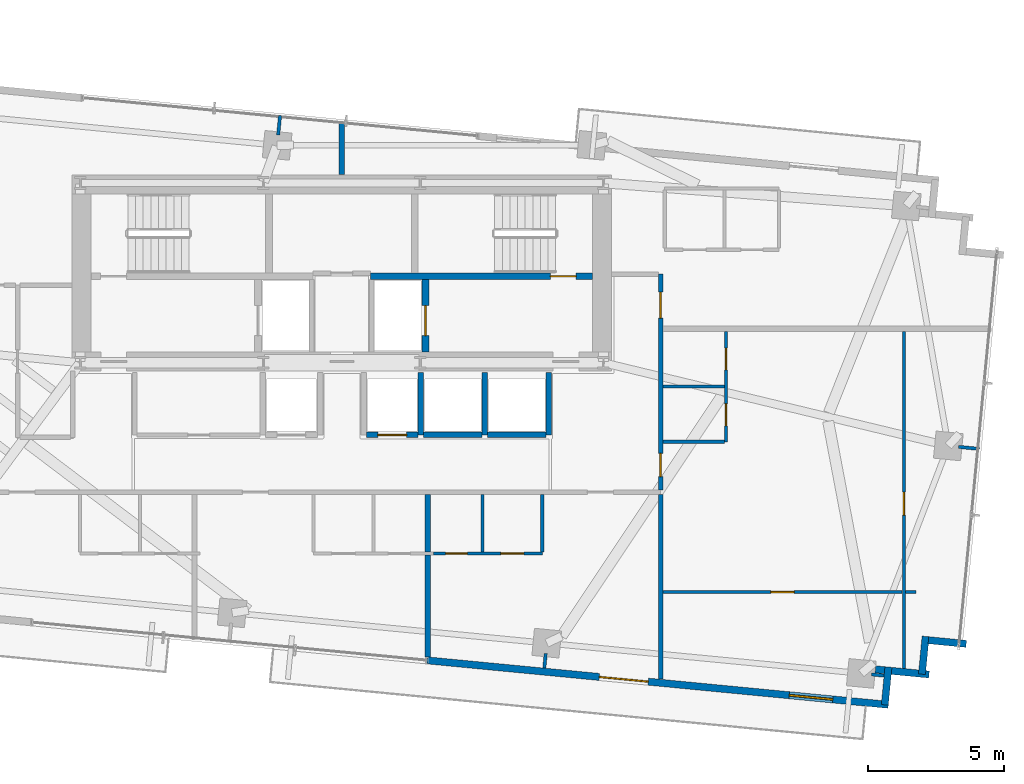
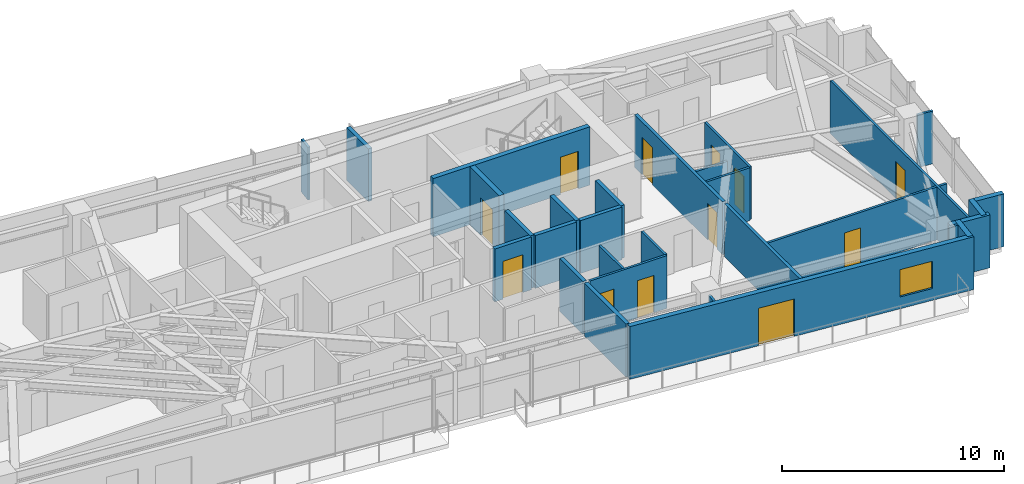
# One storey, part 17 of 20: 31 walls, 12 doors, 1 window, 13 openings.
"""IFC4 building model written with IfcOpenShell, lengths in metres."""

from ifc_helpers import new_model, si_unit, direction, frame, frame_2d, origin, place, context, subcontext, project, spatial, rectangle, extrude, source, transform, mapped, material, layer, layer_set, type_object, type_shapes, element, fill, save


model = new_model("IFC4")

# Units and contexts
model_context = context("Model", 3, precision=1e-05, world=origin(), true_north=direction((0.0, 1.0)))
body_context = subcontext(model_context, "Body", "Model", "MODEL_VIEW")
ifc_project = project(units=[si_unit("LENGTHUNIT", "METRE"), si_unit("AREAUNIT", "SQUARE_METRE"), si_unit("VOLUMEUNIT", "CUBIC_METRE"), si_unit("PLANEANGLEUNIT", "RADIAN"), si_unit("MASSUNIT", "GRAM", prefix="KILO")], contexts=[model_context])

# Site, building, storey
site_placement = place(None, origin())
site = spatial("IfcSite", under=ifc_project, at=site_placement, CompositionType="ELEMENT")
building_placement = place(site_placement, origin())
building = spatial("IfcBuilding", under=site, at=building_placement, Name="Astriad Promenade Condominiums", CompositionType="ELEMENT")
storey_placement = place(building_placement, frame((0.0, 0.0, 159.800048828125)))
storey = spatial("IfcBuildingStorey", under=building, at=storey_placement, Name="L46", CompositionType="ELEMENT", Elevation=159.800048828125)

# Wall, opening, door
ifc_material_1 = material(Name="Concrete C50/60", Category="concrete")
ifc_layer_1 = layer(ifc_material_1, 0.25)
ifc_layer_set_1 = layer_set([ifc_layer_1], Name="Concrete C50/60")
wall_type_1 = type_object("IfcWallType", Name="WALL-CORE-INT-250", PredefinedType="SOLIDWALL", material=ifc_layer_set_1)
wall_1_placement = place(storey_placement, frame((37.050048828125, 20.574951171875, 0.0), z_axis=(0.0, 0.0, 1.0), x_axis=(1.0, 0.0, 0.0)))
wall_1 = element("IfcWall", 1, at=wall_1_placement, inside=storey, type_object=wall_type_1, Name="CW-INT-H2-L46", PredefinedType="SOLIDWALL", context=body_context, shape_type="SweptSolid", body=[
    extrude(rectangle(XDim=8.14794921875, YDim=0.25, at=frame_2d((4.073974609375, 0.0))), origin(), (0.0, 0.0, 1.0), 3.199951171875),
])
opening_1_placement = place(wall_1_placement, frame((6.60009765625, 0.0, 0.0)))
opening_1 = element("IfcOpeningElement", 2, at=opening_1_placement, cuts=wall_1, Name="Opening FD90-ST-095", PredefinedType="OPENING", context=body_context, shape_type="SweptSolid", body=[
    extrude(rectangle(XDim=0.949951171875, YDim=2.06005859375, at=frame_2d((0.47509765625, 1.030029296875))), frame((0.0, 0.135009765625, 0.0), z_axis=(0.0, -1.0, 0.0), x_axis=(1.0, 0.0, 0.0)), (0.0, 0.0, 1.0), 0.27001953125),
])
ifc_material_2 = material(Name="Fire-Rated Hollow Metal Stair Door")
door_type_1 = type_object("IfcDoorType", Name="FD90-ST-095", OperationType="NOTDEFINED", PredefinedType="DOOR", material=ifc_material_2)
shared_shape_1 = source(origin(), body_context, "Body", "SweptSolid", [
    extrude(rectangle(XDim=0.949951171875, YDim=2.06005859375, at=frame_2d((0.47509765625, 1.030029296875))), frame((0.0, 0.02490234375, 0.0), z_axis=(0.0, -1.0, 0.0), x_axis=(1.0, 0.0, 0.0)), (0.0, 0.0, 1.0), 0.050048828125),
])
type_shapes(door_type_1, [shared_shape_1])
door_1_placement = place(opening_1_placement, origin())
door_1 = element("IfcDoor", 3, at=door_1_placement, inside=storey, type_object=door_type_1, Name="D-ST2-L46", OperationType="SINGLE_SWING_LEFT", OverallHeight=2.06005859375, OverallWidth=0.949951171875, PredefinedType="DOOR", context=body_context, shape_type="MappedRepresentation", body=[
    mapped(shared_shape_1, transform((0.0, 0.0, 0.0), scale=1.0)),
])
fill(opening_1, door_1)

wall_2_placement = place(storey_placement, frame((39.074951171875, 17.802001953125, 0.0), z_axis=(0.0, 0.0, 1.0), x_axis=(0.0, 1.0, 0.0)))
wall_2 = element("IfcWall", 4, at=wall_2_placement, inside=storey, type_object=wall_type_1, Name="CW-FFL2-E-L46", PredefinedType="SOLIDWALL", context=body_context, shape_type="SweptSolid", body=[
    extrude(rectangle(XDim=2.64599609375, YDim=0.25, at=frame_2d((1.322998046875, 0.0))), origin(), (0.0, 0.0, 1.0), 3.199951171875),
])
opening_2_placement = place(wall_2_placement, frame((0.597900390625, 0.0, 0.0)))
opening_2 = element("IfcOpeningElement", 5, at=opening_2_placement, cuts=wall_2, Name="Opening LD-FFL-1122", PredefinedType="OPENING", context=body_context, shape_type="SweptSolid", body=[
    extrude(rectangle(XDim=1.10009765625, YDim=2.080078125, at=frame_2d((0.550048828125, 1.0400390625))), frame((0.0, 0.135009765625, 0.0), z_axis=(0.0, -1.0, 0.0), x_axis=(1.0, 0.0, 0.0)), (0.0, 0.0, 1.0), 0.27001953125),
])
ifc_material_3 = material(Name="Brushed Stainless Steel Fire Elevator Landing Door", Category="steel")
door_type_2 = type_object("IfcDoorType", Name="LD-FFL-1122", OperationType="NOTDEFINED", PredefinedType="DOOR", material=ifc_material_3)
shared_shape_2 = source(origin(), body_context, "Body", "SweptSolid", [
    extrude(rectangle(XDim=1.10009765625, YDim=2.080078125, at=frame_2d((0.550048828125, 1.0400390625))), frame((0.0, 0.02490234375, 0.0), z_axis=(0.0, -1.0, 0.0), x_axis=(1.0, 0.0, 0.0)), (0.0, 0.0, 1.0), 0.050048828125),
])
type_shapes(door_type_2, [shared_shape_2])
door_2_placement = place(opening_2_placement, origin())
door_2 = element("IfcDoor", 6, at=door_2_placement, inside=storey, type_object=door_type_2, Name="Elevator Landing Door FFL-2 (L46)", OperationType="SLIDING_TO_RIGHT", OverallHeight=2.080078125, OverallWidth=1.10009765625, PredefinedType="DOOR", context=body_context, shape_type="MappedRepresentation", body=[
    mapped(shared_shape_2, transform((0.0, 0.0, 0.0), scale=1.0)),
])
fill(opening_2, door_2)

# Wall
ifc_material_4 = material(Name="Fire-Rated Gypsum Partition")
ifc_layer_2 = layer(ifc_material_4, 0.159912109375)
ifc_layer_set_2 = layer_set([ifc_layer_2], Name="Fire-Rated Gypsum Partition")
wall_type_2 = type_object("IfcWallType", Name="WALL-CORR-160", PredefinedType="PARTITIONING", material=ifc_layer_set_2)
wall_3_placement = place(storey_placement, frame((47.699951171875, 5.783203125, 0.0), z_axis=(0.0, 0.0, 1.0), x_axis=(0.0, 1.0, 0.0)))
element("IfcWall", 7, at=wall_3_placement, inside=storey, type_object=wall_type_2, Name="PT-COR-E-L46", PredefinedType="PARTITIONING", context=body_context, shape_type="SweptSolid", body=[
    extrude(rectangle(XDim=6.784912109375, YDim=0.159912109375, at=frame_2d((3.392578125, 0.0))), origin(), (0.0, 0.0, 1.0), 2.89990234375),
])

# Wall, openings, doors
wall_4_placement = place(storey_placement, frame((47.699951171875, 12.73193359375, 0.0), z_axis=(0.0, 0.0, 1.0), x_axis=(0.0, 1.0, 0.0)))
wall_4 = element("IfcWall", 8, at=wall_4_placement, inside=storey, type_object=wall_type_2, Name="PT-COR-E-L46-S2", PredefinedType="PARTITIONING", context=body_context, shape_type="SweptSolid", body=[
    extrude(rectangle(XDim=7.91796875, YDim=0.159912109375, at=frame_2d((3.958984375, 0.0))), origin(), (0.0, 0.0, 1.0), 2.89990234375),
])
opening_3_placement = place(wall_4_placement, frame((0.492919921875, 0.0, 0.0)))
opening_3 = element("IfcOpeningElement", 9, at=opening_3_placement, cuts=wall_4, Name="Opening FD60-ULOW-085", PredefinedType="OPENING", context=body_context, shape_type="SweptSolid", body=[
    extrude(rectangle(XDim=0.85009765625, YDim=2.0, at=frame_2d((0.425048828125, 1.0))), frame((0.0, 0.08984375, 0.0), z_axis=(0.0, -1.0, 0.0), x_axis=(1.0, 0.0, 0.0)), (0.0, 0.0, 1.0), 0.179931640625),
])
opening_4_placement = place(wall_4_placement, frame((6.31103515625, 0.0, 0.0)))
opening_4 = element("IfcOpeningElement", 10, at=opening_4_placement, cuts=wall_4, Name="Opening FD60-APT-095", PredefinedType="OPENING", context=body_context, shape_type="SweptSolid", body=[
    extrude(rectangle(XDim=0.949951171875, YDim=2.06005859375, at=frame_2d((0.47509765625, 1.030029296875))), frame((0.0, 0.08984375, 0.0), z_axis=(0.0, -1.0, 0.0), x_axis=(1.0, 0.0, 0.0)), (0.0, 0.0, 1.0), 0.179931640625),
])
ifc_material_5 = material(Name="Solid-Core Acoustic Timber Residence Entry Door", Category="wood")
door_type_3 = type_object("IfcDoorType", Name="FD60-APT-095", OperationType="NOTDEFINED", PredefinedType="DOOR", material=ifc_material_5)
shared_shape_3 = source(origin(), body_context, "Body", "SweptSolid", [
    extrude(rectangle(XDim=0.949951171875, YDim=2.06005859375, at=frame_2d((0.47509765625, 1.030029296875))), frame((0.0, 0.02490234375, 0.0), z_axis=(0.0, -1.0, 0.0), x_axis=(1.0, 0.0, 0.0)), (0.0, 0.0, 1.0), 0.050048828125),
])
type_shapes(door_type_3, [shared_shape_3])
door_3_placement = place(opening_4_placement, origin())
door_3 = element("IfcDoor", 11, at=door_3_placement, inside=storey, type_object=door_type_3, Name="D-ENT-L46-E2", OperationType="SINGLE_SWING_RIGHT", OverallHeight=2.06005859375, OverallWidth=0.949951171875, PredefinedType="DOOR", context=body_context, shape_type="MappedRepresentation", body=[
    mapped(shared_shape_3, transform((0.0, 0.0, 0.0), scale=1.0)),
])
fill(opening_4, door_3)
ifc_material_6 = material(Name="Solid-Core Low-Headroom Fire Door")
door_type_4 = type_object("IfcDoorType", Name="FD60-ULOW-085", OperationType="NOTDEFINED", PredefinedType="DOOR", material=ifc_material_6)
shared_shape_4 = source(origin(), body_context, "Body", "SweptSolid", [
    extrude(rectangle(XDim=0.85009765625, YDim=2.0, at=frame_2d((0.425048828125, 1.0))), frame((0.0, 0.02490234375, 0.0), z_axis=(0.0, -1.0, 0.0), x_axis=(1.0, 0.0, 0.0)), (0.0, 0.0, 1.0), 0.050048828125),
])
type_shapes(door_type_4, [shared_shape_4])
door_4_placement = place(opening_3_placement, origin())
door_4 = element("IfcDoor", 12, at=door_4_placement, inside=storey, type_object=door_type_4, Name="D-ENT-L46-E1", OperationType="SINGLE_SWING_LEFT", OverallHeight=2.0, OverallWidth=0.85009765625, PredefinedType="DOOR", context=body_context, shape_type="MappedRepresentation", body=[
    mapped(shared_shape_4, transform((0.0, 0.0, 0.0), scale=1.0)),
])
fill(opening_3, door_4)

# Walls
ifc_material_7 = material(Name="Acoustic Double-Stud Gypsum Partition")
ifc_layer_3 = layer(ifc_material_7, 0.199951171875)
ifc_layer_set_3 = layer_set([ifc_layer_3], Name="Acoustic Double-Stud Gypsum Partition")
wall_type_3 = type_object("IfcWallType", Name="WALL-DEMISING-200", PredefinedType="PARTITIONING", material=ifc_layer_set_3)
wall_5_placement = place(storey_placement, frame((36.0, 24.302001953125, 0.0), z_axis=(0.0, 0.0, 1.0), x_axis=(0.0, 1.0, 0.0)))
element("IfcWall", 13, at=wall_5_placement, inside=storey, type_object=wall_type_3, Name="PT-NC-MID-L46", PredefinedType="PARTITIONING", context=body_context, shape_type="SweptSolid", body=[
    extrude(rectangle(XDim=1.954833984375, YDim=0.199951171875, at=frame_2d((0.9775390625, 0.0))), origin(), (0.0, 0.0, 1.0), 2.89990234375),
])
wall_6_placement = place(storey_placement, frame((39.158935546875, 6.605712890625, 0.0), z_axis=(0.0, 0.0, 1.0), x_axis=(0.0, 1.0, 0.0)))
element("IfcWall", 14, at=wall_6_placement, inside=storey, type_object=wall_type_3, Name="PT-DEM-S2-L46", PredefinedType="PARTITIONING", context=body_context, shape_type="SweptSolid", body=[
    extrude(rectangle(XDim=3.732177734375, YDim=0.199951171875, at=frame_2d((1.8662109375, 0.0))), origin(), (0.0, 0.0, 1.0), 2.89990234375),
])
wall_7_placement = place(storey_placement, frame((39.158935546875, 10.4619140625, 0.0), z_axis=(0.0, 0.0, 1.0), x_axis=(0.0, 1.0, 0.0)))
element("IfcWall", 15, at=wall_7_placement, inside=storey, type_object=wall_type_3, Name="PT-DEM-S2-L46-S2", PredefinedType="PARTITIONING", context=body_context, shape_type="SweptSolid", body=[
    extrude(rectangle(XDim=2.106201171875, YDim=0.199951171875, at=frame_2d((1.05322265625, 0.0))), origin(), (0.0, 0.0, 1.0), 2.89990234375),
])
ifc_material_8 = material(Name="Precast concrete C50/60", Category="concrete")
ifc_layer_4 = layer(ifc_material_8, 0.260009765625)
ifc_layer_set_4 = layer_set([ifc_layer_4], Name="Precast concrete C50/60")
wall_type_4 = type_object("IfcWallType", Name="WALL-EXT-TWR-260", PredefinedType="STANDARD", material=ifc_layer_set_4)
for number, where, z_axis, x_axis, name in (
    (16, (58.918701171875, 7.081787109375, 0.0), (0.0, 0.0, 1.0), (-0.995389446633, 0.095915846097, 0.0), "W-SER-L46-14"),
    (17, (57.42822265625, 7.35595703125, 0.0), (0.0, 0.0, 1.0), (-0.095915846097, -0.995389446633, 0.0), "W-SER-L46-15"),
):
    element("IfcWall", number, at=place(storey_placement, frame(where, z_axis=z_axis, x_axis=x_axis)), inside=storey, type_object=wall_type_4, Name=name, PredefinedType="STANDARD", context=body_context, shape_type="SweptSolid", body=[
        extrude(rectangle(XDim=1.394775390625, YDim=0.260009765625, at=frame_2d((0.697265625, 0.0))), origin(), (0.0, 0.0, 1.0), 2.89990234375),
    ])
wall_8_placement = place(storey_placement, frame((57.5546875, 5.95751953125, 0.0), z_axis=(0.0, 0.0, 1.0), x_axis=(-0.995401789159, 0.095787672171, 0.0)))
element("IfcWall", 18, at=wall_8_placement, inside=storey, type_object=wall_type_4, Name="W-SER-L46-16", PredefinedType="STANDARD", context=body_context, shape_type="SweptSolid", body=[
    extrude(rectangle(XDim=1.977783203125, YDim=0.260009765625, at=frame_2d((0.98876953125, 0.0))), origin(), (0.0, 0.0, 1.0), 2.89990234375),
])
wall_9_placement = place(storey_placement, frame((56.064208984375, 6.231689453125, 0.0), z_axis=(0.0, 0.0, 1.0), x_axis=(-0.09589913835, -0.995391056452, 0.0)))
element("IfcWall", 19, at=wall_9_placement, inside=storey, type_object=wall_type_4, Name="W-SER-L46-17", PredefinedType="STANDARD", context=body_context, shape_type="SweptSolid", body=[
    extrude(rectangle(XDim=1.39501953125, YDim=0.260009765625, at=frame_2d((0.697509765625, 0.0))), origin(), (0.0, 0.0, 1.0), 2.89990234375),
])

# Wall, openings, door, window
wall_10_placement = place(storey_placement, frame((56.061279296875, 4.845458984375, 0.0), z_axis=(0.0, 0.0, 1.0), x_axis=(-0.995395976631, 0.095848055311, 0.0)))
wall_10 = element("IfcWall", 20, at=wall_10_placement, inside=storey, type_object=wall_type_4, Name="W-EXT-L46-S1", PredefinedType="STANDARD", context=body_context, shape_type="SweptSolid", body=[
    extrude(rectangle(XDim=17.010009765625, YDim=0.260009765625, at=frame_2d((8.5048828125, 0.0))), origin(), (0.0, 0.0, 1.0), 2.89990234375),
])
opening_5_placement = place(wall_10_placement, frame((8.85595703125, 0.0, 0.0)))
opening_5 = element("IfcOpeningElement", 21, at=opening_5_placement, cuts=wall_10, Name="Opening BD-1822-SLD", PredefinedType="OPENING", context=body_context, shape_type="SweptSolid", body=[
    extrude(rectangle(XDim=1.800048828125, YDim=2.06005859375, at=frame_2d((0.89990234375, 1.030029296875))), frame((0.0, 0.139892578125, 0.0), z_axis=(0.0, -1.0, 0.0), x_axis=(1.0, 0.0, 0.0)), (0.0, 0.0, 1.0), 0.280029296875),
])
opening_6_placement = place(wall_10_placement, frame((2.050048828125, 0.0, 0.64990234375)))
opening_6 = element("IfcOpeningElement", 22, at=opening_6_placement, cuts=wall_10, Name="Opening WIN-TWR-1620", PredefinedType="OPENING", context=body_context, shape_type="SweptSolid", body=[
    extrude(rectangle(XDim=1.60009765625, YDim=1.5, at=frame_2d((0.800048828125, 0.75))), frame((0.0, 0.139892578125, 0.0), z_axis=(0.0, -1.0, 0.0), x_axis=(1.0, 0.0, 0.0)), (0.0, 0.0, 1.0), 0.280029296875),
])
ifc_material_9 = material(Name="Thermally Broken Aluminium Sliding Balcony Door", Category="aluminium")
door_type_5 = type_object("IfcDoorType", Name="BD-1822-SLD", OperationType="NOTDEFINED", PredefinedType="DOOR", material=ifc_material_9)
shared_shape_5 = source(origin(), body_context, "Body", "SweptSolid", [
    extrude(rectangle(XDim=1.800048828125, YDim=2.06005859375, at=frame_2d((0.89990234375, 1.030029296875))), frame((0.0, 0.02490234375, 0.0), z_axis=(0.0, -1.0, 0.0), x_axis=(1.0, 0.0, 0.0)), (0.0, 0.0, 1.0), 0.050048828125),
])
type_shapes(door_type_5, [shared_shape_5])
door_5_placement = place(opening_5_placement, origin())
door_5 = element("IfcDoor", 23, at=door_5_placement, inside=storey, type_object=door_type_5, Name="BD-L46-SE", OperationType="SLIDING_TO_RIGHT", OverallHeight=2.06005859375, OverallWidth=1.800048828125, PredefinedType="DOOR", context=body_context, shape_type="MappedRepresentation", body=[
    mapped(shared_shape_5, transform((0.0, 0.0, 0.0), scale=1.0)),
])
fill(opening_5, door_5)
ifc_material_10 = material(Name="Dark Tinted Triple-Glazed Aluminium Window", Category="aluminium")
window_type = type_object("IfcWindowType", Name="WIN-TWR-1620", PartitioningType="SINGLE_PANEL", PredefinedType="WINDOW", material=ifc_material_10)
shared_shape_6 = source(origin(), body_context, "Body", "SweptSolid", [
    extrude(rectangle(XDim=1.60009765625, YDim=1.5, at=frame_2d((0.800048828125, 0.75))), frame((0.0, 0.030029296875, 0.0), z_axis=(0.0, -1.0, 0.0), x_axis=(1.0, 0.0, 0.0)), (0.0, 0.0, 1.0), 0.06005859375),
])
type_shapes(window_type, [shared_shape_6])
window_placement = place(opening_6_placement, origin())
window = element("IfcWindow", 24, at=window_placement, inside=storey, type_object=window_type, Name="WIN-L46-SE", OverallHeight=1.5, OverallWidth=1.60009765625, PartitioningType="SINGLE_PANEL", PredefinedType="WINDOW", context=body_context, shape_type="MappedRepresentation", body=[
    mapped(shared_shape_6, transform((0.0, 0.0, 0.0), scale=1.0)),
])
fill(opening_6, window)

# Wall, openings, doors
ifc_material_11 = material(Name="Acoustic Metal-Stud Gypsum Partition")
ifc_layer_5 = layer(ifc_material_11, 0.1201171875)
ifc_layer_set_5 = layer_set([ifc_layer_5], Name="Acoustic Metal-Stud Gypsum Partition")
wall_type_5 = type_object("IfcWallType", Name="WALL-PART-120", PredefinedType="PARTITIONING", material=ifc_layer_set_5)
wall_11_placement = place(storey_placement, frame((39.35888671875, 10.39990234375, 0.0), z_axis=(0.0, 0.0, 1.0), x_axis=(1.0, 0.0, 0.0)))
wall_11 = element("IfcWall", 25, at=wall_11_placement, inside=storey, type_object=wall_type_5, Name="PT-L46-S3-PS", PredefinedType="PARTITIONING", context=body_context, shape_type="SweptSolid", body=[
    extrude(rectangle(XDim=4.0, YDim=0.1201171875, at=frame_2d((2.0, 0.0))), origin(), (0.0, 0.0, 1.0), 2.89990234375),
])
opening_7_placement = place(wall_11_placement, frame((0.449951171875, 0.0, 0.0)))
opening_7 = element("IfcOpeningElement", 26, at=opening_7_placement, cuts=wall_11, Name="Opening D-WET-080", PredefinedType="OPENING", context=body_context, shape_type="SweptSolid", body=[
    extrude(rectangle(XDim=0.800048828125, YDim=2.02001953125, at=frame_2d((0.39990234375, 1.010009765625))), frame((0.0, 0.070068359375, 0.0), z_axis=(0.0, -1.0, 0.0), x_axis=(1.0, 0.0, 0.0)), (0.0, 0.0, 1.0), 0.14013671875),
])
opening_8_placement = place(wall_11_placement, frame((2.47509765625, 0.0, 0.0)))
opening_8 = element("IfcOpeningElement", 27, at=opening_8_placement, cuts=wall_11, Name="Opening D-INT-085", PredefinedType="OPENING", context=body_context, shape_type="SweptSolid", body=[
    extrude(rectangle(XDim=0.85009765625, YDim=2.050048828125, at=frame_2d((0.425048828125, 1.02490234375))), frame((0.0, 0.070068359375, 0.0), z_axis=(0.0, -1.0, 0.0), x_axis=(1.0, 0.0, 0.0)), (0.0, 0.0, 1.0), 0.14013671875),
])
ifc_material_12 = material(Name="Moisture-Resistant Timber Bathroom Door", Category="wood")
door_type_6 = type_object("IfcDoorType", Name="D-WET-080", OperationType="NOTDEFINED", PredefinedType="DOOR", material=ifc_material_12)
shared_shape_7 = source(origin(), body_context, "Body", "SweptSolid", [
    extrude(rectangle(XDim=0.800048828125, YDim=2.02001953125, at=frame_2d((0.39990234375, 1.010009765625))), frame((0.0, 0.02490234375, 0.0), z_axis=(0.0, -1.0, 0.0), x_axis=(1.0, 0.0, 0.0)), (0.0, 0.0, 1.0), 0.050048828125),
])
type_shapes(door_type_6, [shared_shape_7])
door_6_placement = place(opening_7_placement, origin())
door_6 = element("IfcDoor", 28, at=door_6_placement, inside=storey, type_object=door_type_6, Name="D-BTH-L46-S3", OperationType="SINGLE_SWING_LEFT", OverallHeight=2.02001953125, OverallWidth=0.800048828125, PredefinedType="DOOR", context=body_context, shape_type="MappedRepresentation", body=[
    mapped(shared_shape_7, transform((0.0, 0.0, 0.0), scale=1.0)),
])
fill(opening_7, door_6)
ifc_material_13 = material(Name="Painted Solid-Core Timber Room Door", Category="wood")
door_type_7 = type_object("IfcDoorType", Name="D-INT-085", OperationType="NOTDEFINED", PredefinedType="DOOR", material=ifc_material_13)
shared_shape_8 = source(origin(), body_context, "Body", "SweptSolid", [
    extrude(rectangle(XDim=0.85009765625, YDim=2.050048828125, at=frame_2d((0.425048828125, 1.02490234375))), frame((0.0, 0.02490234375, 0.0), z_axis=(0.0, -1.0, 0.0), x_axis=(1.0, 0.0, 0.0)), (0.0, 0.0, 1.0), 0.050048828125),
])
type_shapes(door_type_7, [shared_shape_8])
door_7_placement = place(opening_8_placement, origin())
door_7 = element("IfcDoor", 29, at=door_7_placement, inside=storey, type_object=door_type_7, Name="D-KIT-L46-S3", OperationType="SINGLE_SWING_RIGHT", OverallHeight=2.050048828125, OverallWidth=0.85009765625, PredefinedType="DOOR", context=body_context, shape_type="MappedRepresentation", body=[
    mapped(shared_shape_8, transform((0.0, 0.0, 0.0), scale=1.0)),
])
fill(opening_8, door_7)

# Walls
for number, where, z_axis, x_axis, name in (
    (30, (43.35888671875, 10.4619140625, 0.0), (0.0, 0.0, 1.0), (0.0, 1.0, 0.0), "PT-L46-S3-PK"),
    (31, (41.158935546875, 10.4619140625, 0.0), (0.0, 0.0, 1.0), (0.0, 1.0, 0.0), "PT-L46-S3-PB"),
):
    element("IfcWall", number, at=place(storey_placement, frame(where, z_axis=z_axis, x_axis=x_axis)), inside=storey, type_object=wall_type_5, Name=name, PredefinedType="PARTITIONING", context=body_context, shape_type="SweptSolid", body=[
        extrude(rectangle(XDim=2.106201171875, YDim=0.1201171875, at=frame_2d((1.05322265625, 0.0))), origin(), (0.0, 0.0, 1.0), 2.89990234375),
    ])

# Wall, openings, doors
wall_12_placement = place(storey_placement, frame((50.10009765625, 14.5, 0.0), z_axis=(0.0, 0.0, 1.0), x_axis=(0.0, 1.0, 0.0)))
wall_12 = element("IfcWall", 32, at=wall_12_placement, inside=storey, type_object=wall_type_5, Name="PT-L46-E1-PV", PredefinedType="PARTITIONING", context=body_context, shape_type="SweptSolid", body=[
    extrude(rectangle(XDim=4.048095703125, YDim=0.1201171875, at=frame_2d((2.02392578125, 0.0))), origin(), (0.0, 0.0, 1.0), 2.89990234375),
])
opening_9_placement = place(wall_12_placement, frame((0.5869140625, 0.0, 0.0)))
opening_9 = element("IfcOpeningElement", 33, at=opening_9_placement, cuts=wall_12, Name="Opening D-ULOW-080", PredefinedType="OPENING", context=body_context, shape_type="SweptSolid", body=[
    extrude(rectangle(XDim=0.800048828125, YDim=2.0, at=frame_2d((0.39990234375, 1.0))), frame((0.0, 0.070068359375, 0.0), z_axis=(0.0, -1.0, 0.0), x_axis=(1.0, 0.0, 0.0)), (0.0, 0.0, 1.0), 0.14013671875),
])
opening_10_placement = place(wall_12_placement, frame((2.637939453125, 0.0, 0.0)))
opening_10 = element("IfcOpeningElement", 34, at=opening_10_placement, cuts=wall_12, Name="Opening D-WET-080", PredefinedType="OPENING", context=body_context, shape_type="SweptSolid", body=[
    extrude(rectangle(XDim=0.800048828125, YDim=2.02001953125, at=frame_2d((0.39990234375, 1.010009765625))), frame((0.0, 0.070068359375, 0.0), z_axis=(0.0, -1.0, 0.0), x_axis=(1.0, 0.0, 0.0)), (0.0, 0.0, 1.0), 0.14013671875),
])
door_8_placement = place(opening_10_placement, origin())
door_8 = element("IfcDoor", 35, at=door_8_placement, inside=storey, type_object=door_type_6, Name="D-BTH-L46-E1", OperationType="SINGLE_SWING_LEFT", OverallHeight=2.02001953125, OverallWidth=0.800048828125, PredefinedType="DOOR", context=body_context, shape_type="MappedRepresentation", body=[
    mapped(shared_shape_7, transform((0.0, 0.0, 0.0), scale=1.0)),
])
fill(opening_10, door_8)
ifc_material_14 = material(Name="Painted Timber Low-Headroom Door", Category="wood")
door_type_8 = type_object("IfcDoorType", Name="D-ULOW-080", OperationType="NOTDEFINED", PredefinedType="DOOR", material=ifc_material_14)
shared_shape_9 = source(origin(), body_context, "Body", "SweptSolid", [
    extrude(rectangle(XDim=0.800048828125, YDim=2.0, at=frame_2d((0.39990234375, 1.0))), frame((0.0, 0.02490234375, 0.0), z_axis=(0.0, -1.0, 0.0), x_axis=(1.0, 0.0, 0.0)), (0.0, 0.0, 1.0), 0.050048828125),
])
type_shapes(door_type_8, [shared_shape_9])
door_9_placement = place(opening_9_placement, origin())
door_9 = element("IfcDoor", 36, at=door_9_placement, inside=storey, type_object=door_type_8, Name="D-KIT-L46-E1", OperationType="SINGLE_SWING_RIGHT", OverallHeight=2.0, OverallWidth=0.800048828125, PredefinedType="DOOR", context=body_context, shape_type="MappedRepresentation", body=[
    mapped(shared_shape_9, transform((0.0, 0.0, 0.0), scale=1.0)),
])
fill(opening_9, door_9)

# Walls
wall_13_placement = place(storey_placement, frame((47.781982421875, 16.52490234375, 0.0), z_axis=(0.0, 0.0, 1.0), x_axis=(1.0, 0.0, 0.0)))
element("IfcWall", 37, at=wall_13_placement, inside=storey, type_object=wall_type_5, Name="PT-L46-E1-PM", PredefinedType="PARTITIONING", context=body_context, shape_type="SweptSolid", body=[
    extrude(rectangle(XDim=2.256103515625, YDim=0.1201171875, at=frame_2d((1.1279296875, 0.0))), origin(), (0.0, 0.0, 1.0), 2.02294921875),
])
wall_14_placement = place(storey_placement, frame((47.781982421875, 14.5, 0.0), z_axis=(0.0, 0.0, 1.0), x_axis=(1.0, 0.0, 0.0)))
element("IfcWall", 38, at=wall_14_placement, inside=storey, type_object=wall_type_5, Name="PT-L46-E1-PS", PredefinedType="PARTITIONING", context=body_context, shape_type="SweptSolid", body=[
    extrude(rectangle(XDim=2.256103515625, YDim=0.1201171875, at=frame_2d((1.1279296875, 0.0))), origin(), (0.0, 0.0, 1.0), 2.89990234375),
])

# Wall, opening, door
wall_15_placement = place(storey_placement, frame((56.632080078125, 6.178955078125, 0.0), z_axis=(0.0, 0.0, 1.0), x_axis=(0.0, 1.0, 0.0)))
wall_15 = element("IfcWall", 39, at=wall_15_placement, inside=storey, type_object=wall_type_5, Name="PT-L46-E1-B1", PredefinedType="PARTITIONING", context=body_context, shape_type="SweptSolid", body=[
    extrude(rectangle(XDim=12.369140625, YDim=0.1201171875, at=frame_2d((6.1845703125, 0.0))), origin(), (0.0, 0.0, 1.0), 2.89990234375),
])
opening_11_placement = place(wall_15_placement, frame((5.6240234375, 0.0, 0.0)))
opening_11 = element("IfcOpeningElement", 40, at=opening_11_placement, cuts=wall_15, Name="Opening D-INT-085", PredefinedType="OPENING", context=body_context, shape_type="SweptSolid", body=[
    extrude(rectangle(XDim=0.85009765625, YDim=2.050048828125, at=frame_2d((0.425048828125, 1.02490234375))), frame((0.0, 0.070068359375, 0.0), z_axis=(0.0, -1.0, 0.0), x_axis=(1.0, 0.0, 0.0)), (0.0, 0.0, 1.0), 0.14013671875),
])
door_10_placement = place(opening_11_placement, origin())
door_10 = element("IfcDoor", 41, at=door_10_placement, inside=storey, type_object=door_type_7, Name="D-BD1-L46-E1", OperationType="SINGLE_SWING_RIGHT", OverallHeight=2.050048828125, OverallWidth=0.85009765625, PredefinedType="DOOR", context=body_context, shape_type="MappedRepresentation", body=[
    mapped(shared_shape_8, transform((0.0, 0.0, 0.0), scale=1.0)),
])
fill(opening_11, door_10)

wall_16_placement = place(storey_placement, frame((47.781982421875, 8.98193359375, 0.0), z_axis=(0.0, 0.0, 1.0), x_axis=(1.0, 0.0, 0.0)))
wall_16 = element("IfcWall", 42, at=wall_16_placement, inside=storey, type_object=wall_type_5, Name="PT-L46-E1-WDS1", PredefinedType="PARTITIONING", context=body_context, shape_type="SweptSolid", body=[
    extrude(rectangle(XDim=8.7880859375, YDim=0.1201171875, at=frame_2d((4.39404296875, 0.0))), origin(), (0.0, 0.0, 1.0), 2.89990234375),
])
opening_12_placement = place(wall_16_placement, frame((3.968994140625, 0.0, 0.0)))
opening_12 = element("IfcOpeningElement", 43, at=opening_12_placement, cuts=wall_16, Name="Opening D-INT-085", PredefinedType="OPENING", context=body_context, shape_type="SweptSolid", body=[
    extrude(rectangle(XDim=0.85009765625, YDim=2.050048828125, at=frame_2d((0.425048828125, 1.02490234375))), frame((0.0, 0.070068359375, 0.0), z_axis=(0.0, -1.0, 0.0), x_axis=(1.0, 0.0, 0.0)), (0.0, 0.0, 1.0), 0.14013671875),
])
door_11_placement = place(opening_12_placement, origin())
door_11 = element("IfcDoor", 44, at=door_11_placement, inside=storey, type_object=door_type_7, Name="D-WDS1-L46-E1", OperationType="SINGLE_SWING_LEFT", OverallHeight=2.050048828125, OverallWidth=0.85009765625, PredefinedType="DOOR", context=body_context, shape_type="MappedRepresentation", body=[
    mapped(shared_shape_8, transform((0.0, 0.0, 0.0), scale=1.0)),
])
fill(opening_12, door_11)

# Walls
wall_17_placement = place(storey_placement, frame((56.694091796875, 8.98193359375, 0.0), z_axis=(0.0, 0.0, 1.0), x_axis=(1.0, 0.0, 0.0)))
element("IfcWall", 45, at=wall_17_placement, inside=storey, type_object=wall_type_5, Name="PT-L46-E1-WDS1-S2", PredefinedType="PARTITIONING", context=body_context, shape_type="SweptSolid", body=[
    extrude(rectangle(XDim=0.3779296875, YDim=0.1201171875, at=frame_2d((0.18896484375, 0.0))), origin(), (0.0, 0.0, 1.0), 2.89990234375),
])
wall_18_placement = place(storey_placement, frame((43.48388671875, 6.7294921875, 0.0), z_axis=(0.0, 0.0, 1.0), x_axis=(-0.095772948675, -0.995403205893, 0.0)))
element("IfcWall", 46, at=wall_18_placement, inside=storey, type_object=wall_type_5, Name="PT-PIL-L46-PC04-11", PredefinedType="PARTITIONING", context=body_context, shape_type="SweptSolid", body=[
    extrude(rectangle(XDim=0.537841796875, YDim=0.1201171875, at=frame_2d((0.26904296875, 0.0))), origin(), (0.0, 0.0, 1.0), 2.89990234375),
])
wall_19_placement = place(storey_placement, frame((55.4453125, 5.959716796875, 0.0), z_axis=(0.0, 0.0, 1.0), x_axis=(0.995384576284, -0.09596637586, 0.0)))
element("IfcWall", 47, at=wall_19_placement, inside=storey, type_object=wall_type_5, Name="PT-PIL-L46-PC05-12", PredefinedType="PARTITIONING", context=body_context, shape_type="SweptSolid", body=[
    extrude(rectangle(XDim=0.4580078125, YDim=0.1201171875, at=frame_2d((0.22900390625, 0.0))), origin(), (0.0, 0.0, 1.0), 2.89990234375),
])
wall_20_placement = place(storey_placement, frame((33.66259765625, 25.758544921875, 0.0), z_axis=(0.0, 0.0, 1.0), x_axis=(0.095977354523, 0.995383517755, 0.0)))
element("IfcWall", 48, at=wall_20_placement, inside=storey, type_object=wall_type_5, Name="PT-PIL-L46-PC08-15", PredefinedType="PARTITIONING", context=body_context, shape_type="SweptSolid", body=[
    extrude(rectangle(XDim=0.719970703125, YDim=0.1201171875, at=frame_2d((0.35986328125, 0.0))), origin(), (0.0, 0.0, 1.0), 2.89990234375),
])
wall_21_placement = place(storey_placement, frame((58.640380859375, 14.31201171875, 0.0), z_axis=(0.0, 0.0, 1.0), x_axis=(0.995377786728, -0.096036772582, 0.0)))
element("IfcWall", 49, at=wall_21_placement, inside=storey, type_object=wall_type_5, Name="PT-PIL-L46-PC12-19", PredefinedType="PARTITIONING", context=body_context, shape_type="SweptSolid", body=[
    extrude(rectangle(XDim=0.760009765625, YDim=0.1201171875, at=frame_2d((0.3798828125, 0.0))), origin(), (0.0, 0.0, 1.0), 2.89990234375),
])
ifc_material_15 = material(Name="Gypsum Shaftliner Assembly")
ifc_layer_6 = layer(ifc_material_15, 0.199951171875)
ifc_layer_set_6 = layer_set([ifc_layer_6], Name="Gypsum Shaftliner Assembly")
wall_type_6 = type_object("IfcWallType", Name="WALL-SHAFT-200", PredefinedType="PARTITIONING", material=ifc_layer_set_6)
wall_22_placement = place(storey_placement, frame((38.89990234375, 14.75, 0.0), z_axis=(0.0, 0.0, 1.0), x_axis=(0.0, 1.0, 0.0)))
element("IfcWall", 50, at=wall_22_placement, inside=storey, type_object=wall_type_6, Name="PL-MH-DIV-L46", PredefinedType="PARTITIONING", context=body_context, shape_type="SweptSolid", body=[
    extrude(rectangle(XDim=2.300048828125, YDim=0.199951171875, at=frame_2d((1.14990234375, 0.0))), origin(), (0.0, 0.0, 1.0), 2.89990234375),
])

# Wall, opening, door
wall_23_placement = place(storey_placement, frame((36.902099609375, 14.75, 0.0), z_axis=(0.0, 0.0, 1.0), x_axis=(1.0, 0.0, 0.0)))
wall_23 = element("IfcWall", 51, at=wall_23_placement, inside=storey, type_object=wall_type_6, Name="PL-M2-F-L46", PredefinedType="PARTITIONING", context=body_context, shape_type="SweptSolid", body=[
    extrude(rectangle(XDim=1.89599609375, YDim=0.199951171875, at=frame_2d((0.947998046875, 0.0))), origin(), (0.0, 0.0, 1.0), 2.89990234375),
])
opening_13_placement = place(wall_23_placement, frame((0.423095703125, 0.0, 0.0)))
opening_13 = element("IfcOpeningElement", 52, at=opening_13_placement, cuts=wall_23, Name="Opening LD-PL-10522", PredefinedType="OPENING", context=body_context, shape_type="SweptSolid", body=[
    extrude(rectangle(XDim=1.050048828125, YDim=2.080078125, at=frame_2d((0.52490234375, 1.0400390625))), frame((0.0, 0.10986328125, 0.0), z_axis=(0.0, -1.0, 0.0), x_axis=(1.0, 0.0, 0.0)), (0.0, 0.0, 1.0), 0.219970703125),
])
ifc_material_16 = material(Name="Brushed Bronze Passenger Elevator Landing Door")
door_type_9 = type_object("IfcDoorType", Name="LD-PL-10522", OperationType="NOTDEFINED", PredefinedType="DOOR", material=ifc_material_16)
shared_shape_10 = source(origin(), body_context, "Body", "SweptSolid", [
    extrude(rectangle(XDim=1.050048828125, YDim=2.080078125, at=frame_2d((0.52490234375, 1.0400390625))), frame((0.0, 0.02490234375, 0.0), z_axis=(0.0, -1.0, 0.0), x_axis=(1.0, 0.0, 0.0)), (0.0, 0.0, 1.0), 0.050048828125),
])
type_shapes(door_type_9, [shared_shape_10])
door_12_placement = place(opening_13_placement, origin())
door_12 = element("IfcDoor", 53, at=door_12_placement, inside=storey, type_object=door_type_9, Name="Elevator Landing Door PL-M2 (L46)", OperationType="SLIDING_TO_RIGHT", OverallHeight=2.080078125, OverallWidth=1.050048828125, PredefinedType="DOOR", context=body_context, shape_type="MappedRepresentation", body=[
    mapped(shared_shape_10, transform((0.0, 0.0, 0.0), scale=1.0)),
])
fill(opening_13, door_12)

# Walls
for number, where, z_axis, x_axis, name in (
    (54, (41.25, 14.75, 0.0), (0.0, 0.0, 1.0), (0.0, 1.0, 0.0), "PL-H-DIV-L46"),
    (55, (43.60009765625, 14.75, 0.0), (0.0, 0.0, 1.0), (0.0, 1.0, 0.0), "PL-E-OUT-L46"),
):
    element("IfcWall", number, at=place(storey_placement, frame(where, z_axis=z_axis, x_axis=x_axis)), inside=storey, type_object=wall_type_6, Name=name, PredefinedType="PARTITIONING", context=body_context, shape_type="SweptSolid", body=[
        extrude(rectangle(XDim=2.300048828125, YDim=0.199951171875, at=frame_2d((1.14990234375, 0.0))), origin(), (0.0, 0.0, 1.0), 2.89990234375),
    ])
for number, where, z_axis, x_axis, name in (
    (56, (39.001953125, 14.75, 0.0), (0.0, 0.0, 1.0), (1.0, 0.0, 0.0), "PL-H-FRT-L46"),
    (57, (41.35205078125, 14.75, 0.0), (0.0, 0.0, 1.0), (1.0, 0.0, 0.0), "PL-H-FRT-L46-S2"),
):
    element("IfcWall", number, at=place(storey_placement, frame(where, z_axis=z_axis, x_axis=x_axis)), inside=storey, type_object=wall_type_6, Name=name, PredefinedType="PARTITIONING", context=body_context, shape_type="SweptSolid", body=[
        extrude(rectangle(XDim=2.14599609375, YDim=0.199951171875, at=frame_2d((1.072998046875, 0.0))), origin(), (0.0, 0.0, 1.0), 2.89990234375),
    ])

save(model, "model.ifc")
